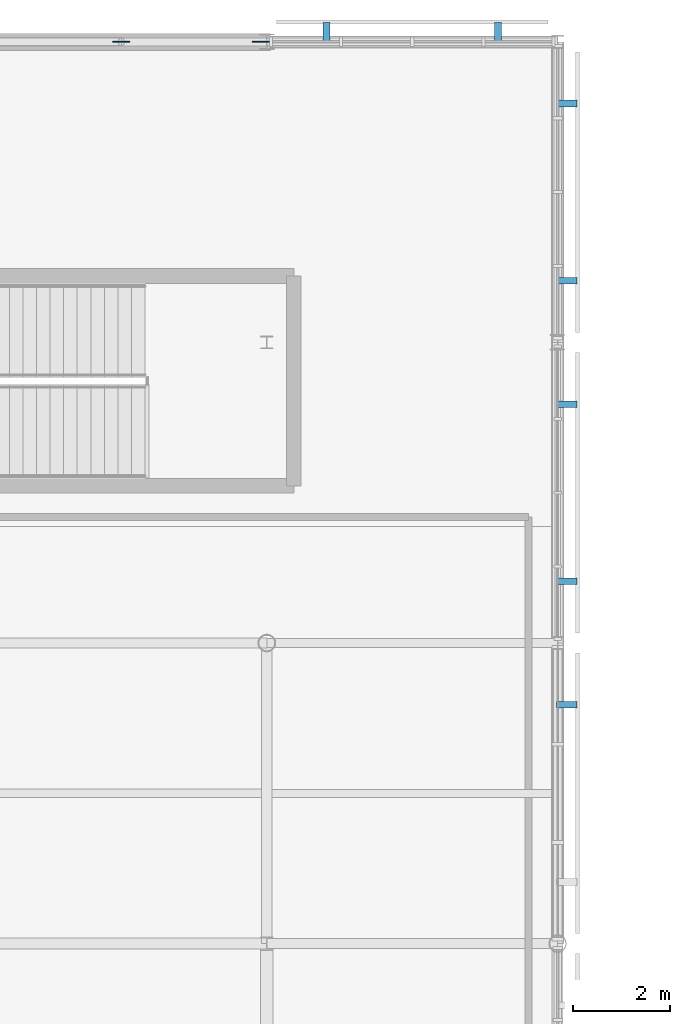
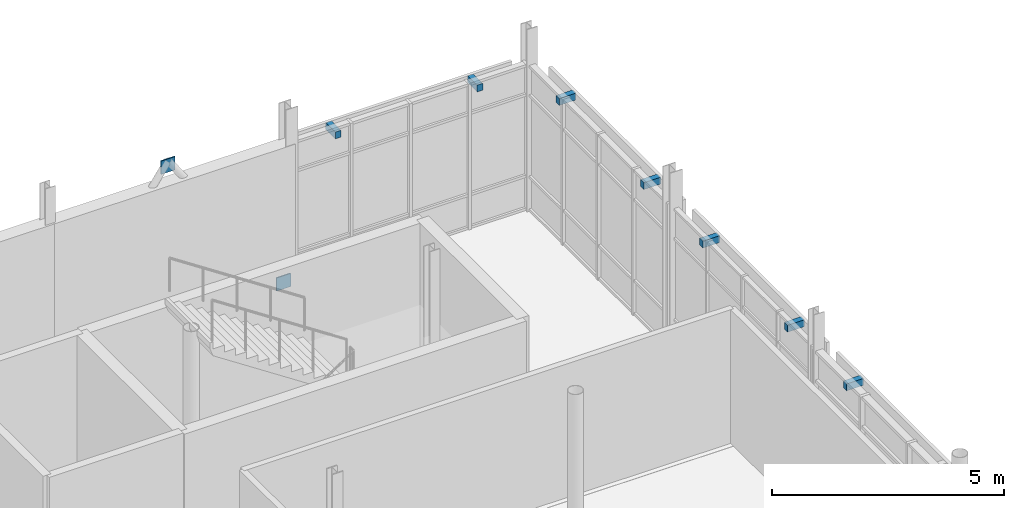
# One storey, part 75 of 84: 9 discrete accessories.
"""IFC4 building model written with IfcOpenShell, lengths in metres."""

from ifc_helpers import new_model, si_unit, direction, frame, origin, origin_2d, place, context, subcontext, project, spatial, rectangle, extrude, material, type_object, element, save


model = new_model("IFC4")

# Units and contexts
model_context = context("Model", 3, precision=1e-05, world=origin(), true_north=direction((0.0, 1.0)))
body_context = subcontext(model_context, "Body", "Model", "MODEL_VIEW")
ifc_project = project(units=[si_unit("LENGTHUNIT", "METRE"), si_unit("AREAUNIT", "SQUARE_METRE"), si_unit("VOLUMEUNIT", "CUBIC_METRE"), si_unit("PLANEANGLEUNIT", "RADIAN"), si_unit("MASSUNIT", "GRAM", prefix="KILO")], contexts=[model_context])

# Site, building, storey
site_placement = place(None, origin())
site = spatial("IfcSite", under=ifc_project, at=site_placement, CompositionType="ELEMENT")
building_placement = place(site_placement, origin())
building = spatial("IfcBuilding", under=site, at=building_placement, Name="Mirzam Square Science Centre", CompositionType="ELEMENT")
storey_placement = place(building_placement, frame((0.0, 0.0, 10.800048828125)))
storey = spatial("IfcBuildingStorey", under=building, at=storey_placement, Name="L02", CompositionType="ELEMENT", Elevation=10.800048828125)

# Discrete accessories
ifc_material = material(Name="Steel S355", Category="steel")
discrete_accessory_type_1 = type_object("IfcDiscreteAccessoryType", Name="BK-BRACE-GUSSET", PredefinedType="BRACKET", material=ifc_material)
for number, where, z_axis, x_axis, name in (
    (1, (131.8798828125, 111.60009765625, -0.005126953125), (0.0, 0.0, 1.0), (1.0, 0.0, 0.0), "L02 brace gusset plate 9B"),
    (2, (129.0, 111.60009765625, 4.079833984375), (0.0, 0.0, 1.0), (1.0, 0.0, 0.0), "L02 brace apex gusset plate 9"),
):
    element("IfcDiscreteAccessory", number, at=place(storey_placement, frame(where, z_axis=z_axis, x_axis=x_axis)), inside=storey, type_object=discrete_accessory_type_1, Name=name, PredefinedType="BRACKET", context=body_context, shape_type="SweptSolid", body=[
        extrude(rectangle(XDim=0.35009765625, YDim=0.02490234375, at=origin_2d()), origin(), (0.0, 0.0, 1.0), 0.35009765625),
    ])
discrete_accessory_type_2 = type_object("IfcDiscreteAccessoryType", Name="BRK-BRISE-STEEL", PredefinedType="BRACKET", material=ifc_material)
for number, where, z_axis, x_axis, name in (
    (3, (136.76708984375, 111.7900390625, 3.5), (0.0, 0.0, 1.0), (-1.0, 0.0, 0.0), "L02 brise-soleil support bracket 104"),
    (4, (133.23291015625, 111.7900390625, 3.5), (0.0, 0.0, 1.0), (-1.0, 0.0, 0.0), "L02 brise-soleil support bracket 104"),
    (5, (138.18994140625, 97.927001953125, 3.5), (0.0, 0.0, 1.0), (0.0, 1.0, 0.0), "L02 brise-soleil support bracket 108"),
    (6, (138.18994140625, 100.472900390625, 3.5), (0.0, 0.0, 1.0), (0.0, 1.0, 0.0), "L02 brise-soleil support bracket 110"),
    (7, (138.18994140625, 104.126953125, 3.5), (0.0, 0.0, 1.0), (0.0, 1.0, 0.0), "L02 brise-soleil support bracket 110"),
    (8, (138.18994140625, 106.673095703125, 3.5), (0.0, 0.0, 1.0), (0.0, 1.0, 0.0), "L02 brise-soleil support bracket 112"),
    (9, (138.18994140625, 110.326904296875, 3.5), (0.0, 0.0, 1.0), (0.0, 1.0, 0.0), "L02 brise-soleil support bracket 112"),
):
    element("IfcDiscreteAccessory", number, at=place(storey_placement, frame(where, z_axis=z_axis, x_axis=x_axis)), inside=storey, type_object=discrete_accessory_type_2, Name=name, PredefinedType="BRACKET", context=body_context, shape_type="SweptSolid", body=[
        extrude(rectangle(XDim=0.139892578125, YDim=0.419921875, at=origin_2d()), origin(), (0.0, 0.0, 1.0), 0.179931640625),
    ])

save(model, "model.ifc")
